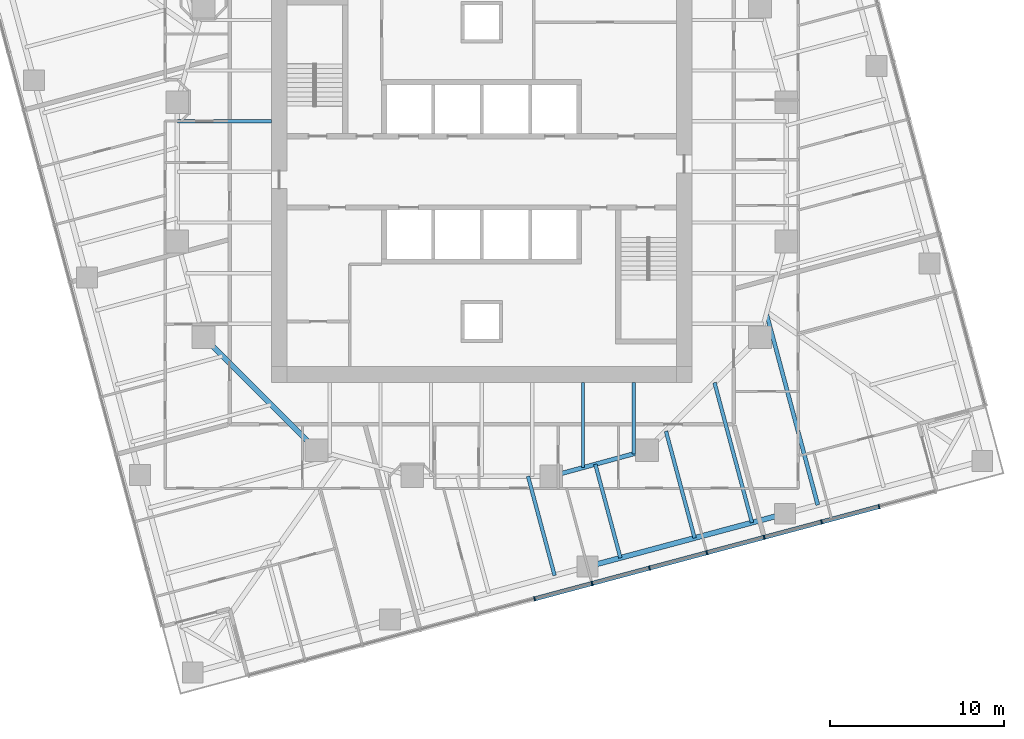
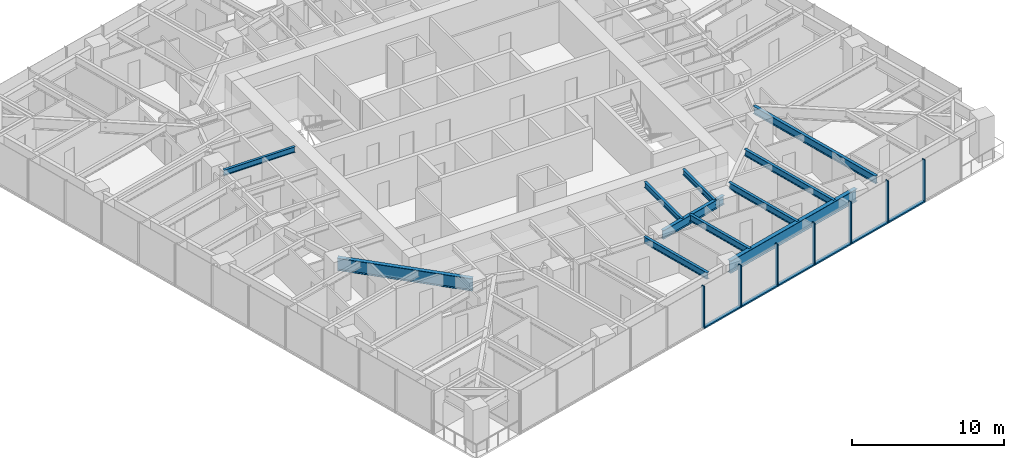
# One storey, part 3 of 15: 13 members, 11 beams, 1 element without a shape of its own.
"""IFC4 building model written with IfcOpenShell, lengths in metres."""

import ifcopenshell
import ifcopenshell.guid

model = None  # the IFC model being written
_history = None  # IfcOwnerHistory: only IFC2X3 demands one
_inside = {}  # id of a spatial element -> (the spatial element, [elements in it])
_under = {}  # id of a project, library or spatial element -> (it, [spatial elements below it])
_declared = {}  # id of a project -> (the project, [libraries it declares])
_typed = {}  # id of a type object -> (the type object, [elements of that type])
_made_of = {}  # id of a material, layer set ... -> (it, [elements and type objects made of it])


def new_model(schema):
    """Start an empty IFC model of exactly this schema.

    Asked for "IFC4X3", IfcOpenShell would pick the latest addendum, in which some entities
    have other attributes; the version numbers below select the first issue.
    IFC2X3 requires an IfcOwnerHistory on every rooted entity: one is made here for all.
    """
    global model, _history
    if schema == "IFC4X3":
        model = ifcopenshell.file(schema_version=(4, 3, 0, 0))
    else:
        model = ifcopenshell.file(schema=schema)
    _inside.clear()
    _under.clear()
    _declared.clear()
    _typed.clear()
    _made_of.clear()
    _history = None
    if model.schema == "IFC2X3":
        org = make("IfcOrganization", Name="unknown")
        user = make(
            "IfcPersonAndOrganization",
            ThePerson=make("IfcPerson", FamilyName="unknown"),
            TheOrganization=org,
        )
        app = make(
            "IfcApplication",
            ApplicationDeveloper=org,
            Version="unknown",
            ApplicationFullName="unknown",
            ApplicationIdentifier="unknown",
        )
        _history = make(
            "IfcOwnerHistory",
            OwningUser=user,
            OwningApplication=app,
            ChangeAction="ADDED",
            CreationDate=0,
        )
    return model


def make(cls, **values):
    """One entity of the class cls with the attributes given. An attribute that is None is left unset."""
    return model.create_entity(
        cls, **{name: value for name, value in values.items() if value is not None}
    )


def rooted(cls, **values):
    """An entity with a GlobalId (a new one), such as an element, a storey or a relation."""
    return make(cls, GlobalId=ifcopenshell.guid.new(), OwnerHistory=_history, **values)


def si_unit(unit_type, name, prefix=None):
    """IfcSIUnit, for example si_unit("LENGTHUNIT", "METRE", prefix="MILLI")."""
    return make("IfcSIUnit", UnitType=unit_type, Prefix=prefix, Name=name)


def assignment(units):
    """IfcUnitAssignment: the units of a project."""
    return None if units is None else make("IfcUnitAssignment", Units=units)


def point(xyz):
    """IfcCartesianPoint."""
    return None if xyz is None else make("IfcCartesianPoint", Coordinates=xyz)


def direction(xyz):
    """IfcDirection."""
    return None if xyz is None else make("IfcDirection", DirectionRatios=xyz)


def frame(location, z_axis=None, x_axis=None):
    """IfcAxis2Placement3D, a coordinate frame: its origin and axes. An axis left out is left unset."""
    return make(
        "IfcAxis2Placement3D",
        Location=point(location),
        Axis=direction(z_axis),
        RefDirection=direction(x_axis),
    )


def frame_2d(location, x_axis=None):
    """IfcAxis2Placement2D, a coordinate frame in the plane: its origin and x axis."""
    return make(
        "IfcAxis2Placement2D", Location=point(location), RefDirection=direction(x_axis)
    )


def origin():
    """The frame at (0, 0, 0) with its axes left unset."""
    return frame((0.0, 0.0, 0.0))


def origin_2d():
    """The frame at (0, 0) in the plane with its x axis left unset."""
    return frame_2d((0.0, 0.0))


def place(relative_to, where):
    """IfcLocalPlacement: puts the frame where relative to a parent placement (None: the world)."""
    return make(
        "IfcLocalPlacement", PlacementRelTo=relative_to, RelativePlacement=where
    )


def context(
    kind, dimensions, precision=None, world=None, true_north=None, identifier=None
):
    """IfcGeometricRepresentationContext, for example the 3D "Model" context."""
    return make(
        "IfcGeometricRepresentationContext",
        ContextIdentifier=identifier,
        ContextType=kind,
        CoordinateSpaceDimension=dimensions,
        Precision=precision,
        WorldCoordinateSystem=world,
        TrueNorth=true_north,
    )


def subcontext(parent, identifier, kind, view, scale=None):
    """IfcGeometricRepresentationSubContext, for example "Body" below "Model"."""
    return make(
        "IfcGeometricRepresentationSubContext",
        ContextIdentifier=identifier,
        ContextType=kind,
        ParentContext=parent,
        TargetScale=scale,
        TargetView=view,
    )


def project(units=None, contexts=None):
    """IfcProject with its units and contexts."""
    return rooted(
        "IfcProject",
        Name="project",
        RepresentationContexts=contexts,
        UnitsInContext=assignment(units),
    )


def spatial(cls, under=None, at=None, **own):
    """A site, building, storey or space (cls), placed at a placement, below another one or the project."""
    s = rooted(cls, ObjectPlacement=at, **own)
    if under is not None:
        _under.setdefault(under.id(), (under, []))[1].append(s)
    return s


def profile(cls, at=None, kind="AREA", **sizes):
    """A parametric profile (cls). Its sizes go by their IFC names, for example OverallWidth=200.0."""
    return make(cls, ProfileType=kind, Position=at, **sizes)


def rectangle(**sizes):
    """IfcRectangleProfileDef."""
    return profile("IfcRectangleProfileDef", **sizes)


def i_section(**sizes):
    """IfcIShapeProfileDef."""
    return profile("IfcIShapeProfileDef", **sizes)


def extrude(swept, where, along, depth):
    """IfcExtrudedAreaSolid: the profile swept, set in the frame where, extruded along a direction by depth."""
    return make(
        "IfcExtrudedAreaSolid",
        SweptArea=swept,
        Position=where,
        ExtrudedDirection=direction(along),
        Depth=depth,
    )


def shape(context_of_items, identifier, shape_type, items):
    """IfcShapeRepresentation: the items that make up one representation, for example the "Body"."""
    return make(
        "IfcShapeRepresentation",
        ContextOfItems=context_of_items,
        RepresentationIdentifier=identifier,
        RepresentationType=shape_type,
        Items=items,
    )


def material(Name=None, Category=None):
    """IfcMaterial."""
    return make("IfcMaterial", Name=Name, Category=Category)


def material_profile(
    of_material, cross_section, Name=None, Category=None, Priority=None
):
    """IfcMaterialProfile: a cross section and its material."""
    return make(
        "IfcMaterialProfile",
        Name=Name,
        Material=of_material,
        Profile=cross_section,
        Priority=Priority,
        Category=Category,
    )


def profile_set(profiles, Name=None, composite=None):
    """IfcMaterialProfileSet."""
    return make(
        "IfcMaterialProfileSet",
        Name=Name,
        MaterialProfiles=profiles,
        CompositeProfile=composite,
    )


def made_of(thing, what):
    """Note that an element or type object is made of a material, layer set ...; save() writes the relation."""
    if what is not None:
        _made_of.setdefault(what.id(), (what, []))[1].append(thing)
    return thing


def type_object(cls, material=None, **own):
    """A type object (cls), such as IfcWallType, which elements share."""
    return made_of(rooted(cls, **own), material)


def element(
    cls,
    number,
    at=None,
    inside=None,
    cuts=None,
    type_object=None,
    material=None,
    context=None,
    identifier="Body",
    shape_type=None,
    held_by="IfcProductDefinitionShape",
    body=None,
    shapes=None,
    **own,
):
    """One element of the class cls, such as IfcWall. Its Tag is "e" and its number.

    at: its placement. inside: the storey or other place that contains it. cuts: it is an
    opening in that element (IfcRelVoidsElement). A single representation is given by context,
    identifier, shape_type and body (its items); several are given by shapes. held_by: the class
    of the entity that holds the representations. save() writes the other relations.
    """
    e = rooted(cls, Tag="e%d" % number, ObjectPlacement=at, **own)
    if body is not None:
        shapes = [shape(context, identifier, shape_type, body)]
    if shapes is not None:
        e.Representation = make(held_by, Representations=shapes)
    if inside is not None:
        _inside.setdefault(inside.id(), (inside, []))[1].append(e)
    if cuts is not None:
        rooted(
            "IfcRelVoidsElement", RelatingBuildingElement=cuts, RelatedOpeningElement=e
        )
    if type_object is not None:
        _typed.setdefault(type_object.id(), (type_object, []))[1].append(e)
    return made_of(e, material)


def aggregate(whole, parts):
    """IfcRelAggregates: a whole, such as a stair, and the parts it consists of."""
    return rooted("IfcRelAggregates", RelatingObject=whole, RelatedObjects=parts)


def save(model, path):
    """Write the relations noted so far, then the file.

    IfcRelAggregates (storeys below a building ...), IfcRelContainedInSpatialStructure (elements
    in a storey), IfcRelDefinesByType, IfcRelAssociatesMaterial and IfcRelDeclares: one each for
    every whole, place, type object, material and project.
    """
    for whole, parts in _under.values():
        aggregate(whole, parts)
    for where, things in _inside.values():
        rooted(
            "IfcRelContainedInSpatialStructure",
            RelatedElements=things,
            RelatingStructure=where,
        )
    for kind, things in _typed.values():
        rooted("IfcRelDefinesByType", RelatedObjects=things, RelatingType=kind)
    for what, things in _made_of.values():
        rooted("IfcRelAssociatesMaterial", RelatedObjects=things, RelatingMaterial=what)
    for by, libraries in _declared.values():
        rooted("IfcRelDeclares", RelatingContext=by, RelatedDefinitions=libraries)
    model.write(path)


model = new_model("IFC4")

# Units and contexts
model_context = context("Model", 3, precision=1e-05, world=origin(), true_north=direction((0.0, 1.0)))
body_context = subcontext(model_context, "Body", "Model", "MODEL_VIEW")
ifc_project = project(units=[si_unit("LENGTHUNIT", "METRE"), si_unit("AREAUNIT", "SQUARE_METRE"), si_unit("VOLUMEUNIT", "CUBIC_METRE"), si_unit("PLANEANGLEUNIT", "RADIAN"), si_unit("MASSUNIT", "GRAM", prefix="KILO")], contexts=[model_context])

# Site, building, storey
site_placement = place(None, origin())
site = spatial("IfcSite", under=ifc_project, at=site_placement, CompositionType="ELEMENT")
building_placement = place(site_placement, origin())
building = spatial("IfcBuilding", under=site, at=building_placement, Name="Torsade Residences", CompositionType="ELEMENT")
storey_placement = place(building_placement, frame((0.0, 0.0, 132.0)))
storey = spatial("IfcBuildingStorey", under=building, at=storey_placement, Name="L36", CompositionType="ELEMENT", Elevation=132.0)

# Beams
ifc_material_1 = material(Name="Steel grade 300", Category="steel")
ifc_material_profile_1 = material_profile(ifc_material_1, i_section(OverallWidth=0.300048828125, OverallDepth=1.0, WebThickness=0.01611328125, FlangeThickness=0.028076171875, at=origin_2d()), Name="1000WB215")
ifc_profile_set_1 = profile_set([ifc_material_profile_1], Name="Steel grade 300")
beam_type_1 = type_object("IfcBeamType", Name="EDGE BEAM 1000WB215", PredefinedType="SPANDREL", material=ifc_profile_set_1)
beam_1_placement = place(storey_placement, frame((46.082275390625, 7.30078125, 2.75), z_axis=(0.965928018634, 0.258810863021, 0.0), x_axis=(-0.258810863021, 0.965928018634, 0.0)))
element("IfcBeam", 1, at=beam_1_placement, inside=storey, type_object=beam_type_1, Name="Edge beam 03 L37", PredefinedType="SPANDREL", context=body_context, shape_type="SweptSolid", body=[
    extrude(i_section(OverallWidth=0.300048828125, OverallDepth=1.0, WebThickness=0.01611328125, FlangeThickness=0.028076171875, at=origin_2d()), origin(), (0.0, 0.0, 1.0), 11.75),
])
ifc_material_2 = material(Name="Steel grade 300", Category="steel")
ifc_material_profile_2 = material_profile(ifc_material_2, i_section(OverallWidth=0.18994140625, OverallDepth=0.4541015625, WebThickness=0.008544921875, FlangeThickness=0.0126953125, FilletRadius=0.011474609375, at=origin_2d()), Name="460UB67.1")
ifc_profile_set_2 = profile_set([ifc_material_profile_2], Name="Steel grade 300")
beam_type_2 = type_object("IfcBeamType", Name="INNER FLOOR BEAM 460UB67.1", PredefinedType="JOIST", material=ifc_profile_set_2)
beam_2_placement = place(storey_placement, frame((48.737548828125, 17.89990234375, 3.02294921875), z_axis=(0.0, -1.0, 0.0), x_axis=(1.0, 0.0, 0.0)))
element("IfcBeam", 2, at=beam_2_placement, inside=storey, type_object=beam_type_2, Name="Inner floor beam IS01 L37", PredefinedType="JOIST", context=body_context, shape_type="SweptSolid", body=[
    extrude(i_section(OverallWidth=0.18994140625, OverallDepth=0.4541015625, WebThickness=0.008544921875, FlangeThickness=0.0126953125, FilletRadius=0.011474609375, at=origin_2d()), origin(), (0.0, 0.0, 1.0), 4.10791015625),
])
beam_3_placement = place(storey_placement, frame((45.824951171875, 17.89990234375, 3.02294921875), z_axis=(0.0, -1.0, 0.0), x_axis=(1.0, 0.0, 0.0)))
element("IfcBeam", 3, at=beam_3_placement, inside=storey, type_object=beam_type_2, Name="Inner floor beam IS02 L37", PredefinedType="JOIST", context=body_context, shape_type="SweptSolid", body=[
    extrude(i_section(OverallWidth=0.18994140625, OverallDepth=0.4541015625, WebThickness=0.008544921875, FlangeThickness=0.0126953125, FilletRadius=0.011474609375, at=origin_2d()), origin(), (0.0, 0.0, 1.0), 4.902099609375),
])
beam_4_placement = place(storey_placement, frame((27.89990234375, 32.91259765625, 3.02294921875), z_axis=(-1.0, 0.0, 0.0), x_axis=(0.0, -1.0, 0.0)))
element("IfcBeam", 4, at=beam_4_placement, inside=storey, type_object=beam_type_2, Name="Inner floor beam IW03 L37", PredefinedType="JOIST", context=body_context, shape_type="SweptSolid", body=[
    extrude(i_section(OverallWidth=0.18994140625, OverallDepth=0.4541015625, WebThickness=0.008544921875, FlangeThickness=0.0126953125, FilletRadius=0.011474609375, at=origin_2d()), origin(), (0.0, 0.0, 1.0), 5.39990234375),
])

# Curtain wall, members
ifc_material_3 = material(Name="Aluminium and glass", Category="aluminium")
curtain_wall_type = type_object("IfcCurtainWallType", Name="FRITTED GLASS CURTAIN WALL MID ZONE", PredefinedType="NOTDEFINED", material=ifc_material_3)
curtain_wall_placement = place(storey_placement, origin())
curtain_wall = element("IfcCurtainWall", 5, at=curtain_wall_placement, inside=storey, type_object=curtain_wall_type, Name="Curtain wall L36 face 1", PredefinedType="NOTDEFINED")
ifc_material_4 = material(Name="Aluminium mullion", Category="aluminium")
ifc_material_profile_3 = material_profile(ifc_material_4, rectangle(XDim=0.25, YDim=0.080078125, at=origin_2d()), Name="MID ZONE CURTAIN WALL MULLION 250x80")
ifc_profile_set_3 = profile_set([ifc_material_profile_3], Name="Aluminium mullion")
member_type_1 = type_object("IfcMemberType", Name="MID ZONE CURTAIN WALL MULLION 250x80", PredefinedType="MULLION", material=ifc_profile_set_3)
member_1_placement = place(storey_placement, frame((43.040771484375, 5.450439453125, 0.0), z_axis=(0.0, 0.0, 1.0), x_axis=(-0.258819047783, 0.965925825571, 0.0)))
member_1 = element("IfcMember", 6, at=member_1_placement, type_object=member_type_1, Name="Mullion 6", PredefinedType="MULLION", context=body_context, shape_type="SweptSolid", body=[
    extrude(rectangle(XDim=0.25, YDim=0.080078125, at=origin_2d()), origin(), (0.0, 0.0, 1.0), 3.39990234375),
])
member_2_placement = place(storey_placement, frame((46.341064453125, 6.334716796875, 0.0), z_axis=(0.0, 0.0, 1.0), x_axis=(-0.258819047783, 0.965925825571, 0.0)))
member_2 = element("IfcMember", 7, at=member_2_placement, type_object=member_type_1, Name="Mullion 7", PredefinedType="MULLION", context=body_context, shape_type="SweptSolid", body=[
    extrude(rectangle(XDim=0.25, YDim=0.080078125, at=origin_2d()), origin(), (0.0, 0.0, 1.0), 3.39990234375),
])
member_3_placement = place(storey_placement, frame((49.641357421875, 7.218994140625, 0.0), z_axis=(0.0, 0.0, 1.0), x_axis=(-0.258819047783, 0.965925825571, 0.0)))
member_3 = element("IfcMember", 8, at=member_3_placement, type_object=member_type_1, Name="Mullion 8", PredefinedType="MULLION", context=body_context, shape_type="SweptSolid", body=[
    extrude(rectangle(XDim=0.25, YDim=0.080078125, at=origin_2d()), origin(), (0.0, 0.0, 1.0), 3.39990234375),
])
member_4_placement = place(storey_placement, frame((52.941650390625, 8.103515625, 0.0), z_axis=(0.0, 0.0, 1.0), x_axis=(-0.258819047783, 0.965925825571, 0.0)))
member_4 = element("IfcMember", 9, at=member_4_placement, type_object=member_type_1, Name="Mullion 9", PredefinedType="MULLION", context=body_context, shape_type="SweptSolid", body=[
    extrude(rectangle(XDim=0.25, YDim=0.080078125, at=origin_2d()), origin(), (0.0, 0.0, 1.0), 3.39990234375),
])
member_5_placement = place(storey_placement, frame((56.24169921875, 8.98779296875, 0.0), z_axis=(0.0, 0.0, 1.0), x_axis=(-0.258819047783, 0.965925825571, 0.0)))
member_5 = element("IfcMember", 10, at=member_5_placement, type_object=member_type_1, Name="Mullion 10", PredefinedType="MULLION", context=body_context, shape_type="SweptSolid", body=[
    extrude(rectangle(XDim=0.25, YDim=0.080078125, at=origin_2d()), origin(), (0.0, 0.0, 1.0), 3.39990234375),
])
member_6_placement = place(storey_placement, frame((59.5419921875, 9.8720703125, 0.0), z_axis=(0.0, 0.0, 1.0), x_axis=(-0.258819047783, 0.965925825571, 0.0)))
member_6 = element("IfcMember", 11, at=member_6_placement, type_object=member_type_1, Name="Mullion 11", PredefinedType="MULLION", context=body_context, shape_type="SweptSolid", body=[
    extrude(rectangle(XDim=0.25, YDim=0.080078125, at=origin_2d()), origin(), (0.0, 0.0, 1.0), 3.39990234375),
])
member_7_placement = place(storey_placement, frame((62.84228515625, 10.75634765625, 0.0), z_axis=(0.0, 0.0, 1.0), x_axis=(-0.258819047783, 0.965925825571, 0.0)))
member_7 = element("IfcMember", 12, at=member_7_placement, type_object=member_type_1, Name="Mullion 12", PredefinedType="MULLION", context=body_context, shape_type="SweptSolid", body=[
    extrude(rectangle(XDim=0.25, YDim=0.080078125, at=origin_2d()), origin(), (0.0, 0.0, 1.0), 3.39990234375),
])
ifc_material_5 = material(Name="Aluminium transom", Category="aluminium")
ifc_material_profile_4 = material_profile(ifc_material_5, rectangle(XDim=0.25, YDim=0.110107421875, at=origin_2d()), Name="MID ZONE CURTAIN WALL TRANSOM 250x110")
ifc_profile_set_4 = profile_set([ifc_material_profile_4], Name="Aluminium transom")
member_type_2 = type_object("IfcMemberType", Name="MID ZONE CURTAIN WALL TRANSOM 250x110", PredefinedType="USERDEFINED", material=ifc_profile_set_4)
member_8_placement = place(storey_placement, frame((43.079345703125, 5.4609375, 0.054931640625), z_axis=(0.965934335648, 0.258787285653, 0.0), x_axis=(-0.258787285653, 0.965934335648, 0.0)))
member_8 = element("IfcMember", 13, at=member_8_placement, type_object=member_type_2, Name="Transom 6.1", ObjectType="TRANSOM", PredefinedType="USERDEFINED", context=body_context, shape_type="SweptSolid", body=[
    extrude(rectangle(XDim=0.25, YDim=0.110107421875, at=origin_2d()), origin(), (0.0, 0.0, 1.0), 3.3369140625),
])
member_9_placement = place(storey_placement, frame((46.379638671875, 6.34521484375, 0.054931640625), z_axis=(0.965934335648, 0.258787285653, 0.0), x_axis=(-0.258787285653, 0.965934335648, 0.0)))
member_9 = element("IfcMember", 14, at=member_9_placement, type_object=member_type_2, Name="Transom 7.1", ObjectType="TRANSOM", PredefinedType="USERDEFINED", context=body_context, shape_type="SweptSolid", body=[
    extrude(rectangle(XDim=0.25, YDim=0.110107421875, at=origin_2d()), origin(), (0.0, 0.0, 1.0), 3.3369140625),
])
member_10_placement = place(storey_placement, frame((49.679931640625, 7.2294921875, 0.054931640625), z_axis=(0.965929435155, 0.258805576255, 0.0), x_axis=(-0.258805576255, 0.965929435155, 0.0)))
member_10 = element("IfcMember", 15, at=member_10_placement, type_object=member_type_2, Name="Transom 8.1", ObjectType="TRANSOM", PredefinedType="USERDEFINED", context=body_context, shape_type="SweptSolid", body=[
    extrude(rectangle(XDim=0.25, YDim=0.110107421875, at=origin_2d()), origin(), (0.0, 0.0, 1.0), 3.336669921875),
])
member_11_placement = place(storey_placement, frame((52.980224609375, 8.11376953125, 0.054931640625), z_axis=(0.965929435155, 0.258805576255, 0.0), x_axis=(-0.258805576255, 0.965929435155, 0.0)))
member_11 = element("IfcMember", 16, at=member_11_placement, type_object=member_type_2, Name="Transom 9.1", ObjectType="TRANSOM", PredefinedType="USERDEFINED", context=body_context, shape_type="SweptSolid", body=[
    extrude(rectangle(XDim=0.25, YDim=0.110107421875, at=origin_2d()), origin(), (0.0, 0.0, 1.0), 3.336669921875),
])
member_12_placement = place(storey_placement, frame((56.280517578125, 8.998046875, 0.054931640625), z_axis=(0.965929435155, 0.258805576255, 0.0), x_axis=(-0.258805576255, 0.965929435155, 0.0)))
member_12 = element("IfcMember", 17, at=member_12_placement, type_object=member_type_2, Name="Transom 10.1", ObjectType="TRANSOM", PredefinedType="USERDEFINED", context=body_context, shape_type="SweptSolid", body=[
    extrude(rectangle(XDim=0.25, YDim=0.110107421875, at=origin_2d()), origin(), (0.0, 0.0, 1.0), 3.336669921875),
])
member_13_placement = place(storey_placement, frame((59.580810546875, 9.88232421875, 0.054931640625), z_axis=(0.965929435155, 0.258805576255, 0.0), x_axis=(-0.258805576255, 0.965929435155, 0.0)))
member_13 = element("IfcMember", 18, at=member_13_placement, type_object=member_type_2, Name="Transom 11.1", ObjectType="TRANSOM", PredefinedType="USERDEFINED", context=body_context, shape_type="SweptSolid", body=[
    extrude(rectangle(XDim=0.25, YDim=0.110107421875, at=origin_2d()), origin(), (0.0, 0.0, 1.0), 3.336669921875),
])
aggregate(curtain_wall, [member_1, member_2, member_3, member_4, member_5, member_6, member_7, member_8, member_9, member_10, member_11, member_12, member_13])

# Beams
ifc_material_6 = material(Name="Steel grade 300", Category="steel")
ifc_material_profile_5 = material_profile(ifc_material_6, i_section(OverallWidth=0.300048828125, OverallDepth=1.0, WebThickness=0.01611328125, FlangeThickness=0.028076171875, at=origin_2d()), Name="1000WB215")
ifc_profile_set_5 = profile_set([ifc_material_profile_5], Name="Steel grade 300")
beam_type_3 = type_object("IfcBeamType", Name="RING CORNER GIRDER 1000WB215", PredefinedType="BEAM", material=ifc_profile_set_5)
beam_5_placement = place(storey_placement, frame((24.0, 20.5, 2.75), z_axis=(0.707106781187, -0.707106781187, 0.0), x_axis=(0.707106781187, 0.707106781187, 0.0)))
element("IfcBeam", 19, at=beam_5_placement, inside=storey, type_object=beam_type_3, Name="Ring girder IR11 L37", PredefinedType="BEAM", context=body_context, shape_type="SweptSolid", body=[
    extrude(i_section(OverallWidth=0.300048828125, OverallDepth=1.0, WebThickness=0.01611328125, FlangeThickness=0.028076171875, at=origin_2d()), origin(), (0.0, 0.0, 1.0), 9.1923828125),
])
ifc_material_7 = material(Name="Steel grade 300", Category="steel")
ifc_material_profile_6 = material_profile(ifc_material_7, i_section(OverallWidth=0.25, OverallDepth=0.699951171875, WebThickness=0.010009765625, FlangeThickness=0.02001953125, at=origin_2d()), Name="700WB130")
ifc_profile_set_6 = profile_set([ifc_material_profile_6], Name="Steel grade 300")
beam_type_4 = type_object("IfcBeamType", Name="RING GIRDER 700WB130", PredefinedType="BEAM", material=ifc_profile_set_6)
beam_6_placement = place(storey_placement, frame((44.0, 12.5, 2.89990234375), z_axis=(0.964763821238, 0.263117405792, 0.0), x_axis=(-0.263117405792, 0.964763821238, 0.0)))
element("IfcBeam", 20, at=beam_6_placement, inside=storey, type_object=beam_type_4, Name="Ring girder IR14 L37", PredefinedType="BEAM", context=body_context, shape_type="SweptSolid", body=[
    extrude(i_section(OverallWidth=0.25, OverallDepth=0.699951171875, WebThickness=0.010009765625, FlangeThickness=0.02001953125, at=origin_2d()), origin(), (0.0, 0.0, 1.0), 5.700927734375),
])
ifc_material_8 = material(Name="Steel grade 300", Category="steel")
ifc_material_profile_7 = material_profile(ifc_material_8, i_section(OverallWidth=0.208984375, OverallDepth=0.528076171875, WebThickness=0.009521484375, FlangeThickness=0.01318359375, FilletRadius=0.013916015625, at=origin_2d()), Name="530UB82.0")
ifc_profile_set_7 = profile_set([ifc_material_profile_7], Name="Steel grade 300")
beam_type_5 = type_object("IfcBeamType", Name="SECONDARY BEAM 530UB82.0", PredefinedType="JOIST", material=ifc_profile_set_7)
beam_7_placement = place(storey_placement, frame((44.190673828125, 6.7939453125, 2.986083984375), z_axis=(-0.258837996141, 0.965920748174, 0.0), x_axis=(-0.965920748174, -0.258837996141, 0.0)))
element("IfcBeam", 21, at=beam_7_placement, inside=storey, type_object=beam_type_5, Name="Floor beam FS06 L37", PredefinedType="JOIST", context=body_context, shape_type="SweptSolid", body=[
    extrude(i_section(OverallWidth=0.208984375, OverallDepth=0.528076171875, WebThickness=0.009521484375, FlangeThickness=0.01318359375, FilletRadius=0.013916015625, at=origin_2d()), origin(), (0.0, 0.0, 1.0), 5.907470703125),
])
beam_8_placement = place(storey_placement, frame((47.973876953125, 7.8076171875, 2.986083984375), z_axis=(-0.258829517553, 0.965923020144, 0.0), x_axis=(-0.965923020144, -0.258829517553, 0.0)))
element("IfcBeam", 22, at=beam_8_placement, inside=storey, type_object=beam_type_5, Name="Floor beam FS07 L37", PredefinedType="JOIST", context=body_context, shape_type="SweptSolid", body=[
    extrude(i_section(OverallWidth=0.208984375, OverallDepth=0.528076171875, WebThickness=0.009521484375, FlangeThickness=0.01318359375, FilletRadius=0.013916015625, at=origin_2d()), origin(), (0.0, 0.0, 1.0), 5.57275390625),
])
beam_9_placement = place(storey_placement, frame((52.239990234375, 8.95068359375, 2.986083984375), z_axis=(-0.258804520856, 0.965929717932, 0.0), x_axis=(-0.965929717932, -0.258804520856, 0.0)))
element("IfcBeam", 23, at=beam_9_placement, inside=storey, type_object=beam_type_5, Name="Floor beam FS08 L37", PredefinedType="JOIST", context=body_context, shape_type="SweptSolid", body=[
    extrude(i_section(OverallWidth=0.208984375, OverallDepth=0.528076171875, WebThickness=0.009521484375, FlangeThickness=0.01318359375, FilletRadius=0.013916015625, at=origin_2d()), origin(), (0.0, 0.0, 1.0), 6.360107421875),
])
beam_10_placement = place(storey_placement, frame((55.540283203125, 9.8349609375, 2.986083984375), z_axis=(-0.258833232221, 0.96592202475, 0.0), x_axis=(-0.96592202475, -0.258833232221, 0.0)))
element("IfcBeam", 24, at=beam_10_placement, inside=storey, type_object=beam_type_5, Name="Floor beam FS09 L37", PredefinedType="JOIST", context=body_context, shape_type="SweptSolid", body=[
    extrude(i_section(OverallWidth=0.208984375, OverallDepth=0.528076171875, WebThickness=0.009521484375, FlangeThickness=0.01318359375, FilletRadius=0.013916015625, at=origin_2d()), origin(), (0.0, 0.0, 1.0), 8.33251953125),
])
ifc_material_9 = material(Name="Steel grade 300", Category="steel")
ifc_material_profile_8 = material_profile(ifc_material_9, i_section(OverallWidth=0.22900390625, OverallDepth=0.612060546875, WebThickness=0.011962890625, FlangeThickness=0.01953125, FilletRadius=0.013916015625, at=origin_2d()), Name="610UB125")
ifc_profile_set_8 = profile_set([ifc_material_profile_8], Name="Steel grade 300")
beam_type_6 = type_object("IfcBeamType", Name="SECONDARY BEAM 610UB125", PredefinedType="JOIST", material=ifc_profile_set_8)
beam_11_placement = place(storey_placement, frame((59.323486328125, 10.8486328125, 2.944091796875), z_axis=(-0.258807068179, 0.965929035417, 0.0), x_axis=(-0.965929035417, -0.258807068179, 0.0)))
element("IfcBeam", 25, at=beam_11_placement, inside=storey, type_object=beam_type_6, Name="Floor beam FS10 L37", PredefinedType="JOIST", context=body_context, shape_type="SweptSolid", body=[
    extrude(i_section(OverallWidth=0.22900390625, OverallDepth=0.612060546875, WebThickness=0.011962890625, FlangeThickness=0.01953125, FilletRadius=0.013916015625, at=origin_2d()), origin(), (0.0, 0.0, 1.0), 11.40380859375),
])

save(model, "model.ifc")
